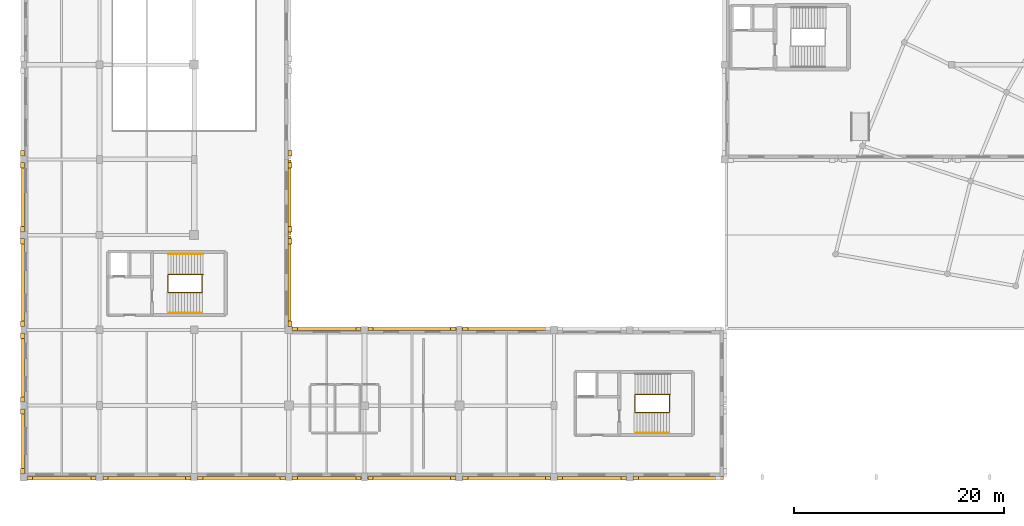
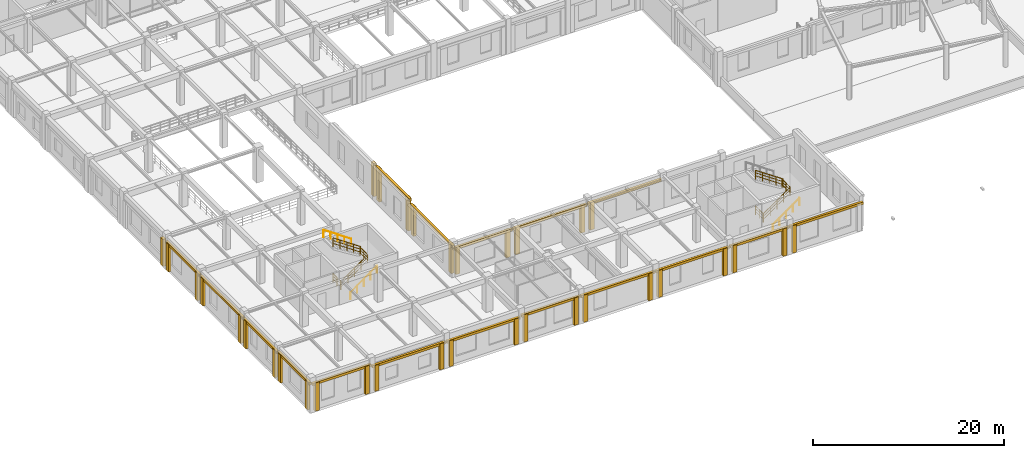
# One storey, part 52 of 62: 51 coverings, 11 railings.
"""IFC4 building model written with IfcOpenShell, lengths in metres."""

import ifcopenshell
import ifcopenshell.guid

model = None  # the IFC model being written
_history = None  # IfcOwnerHistory: only IFC2X3 demands one
_inside = {}  # id of a spatial element -> (the spatial element, [elements in it])
_under = {}  # id of a project, library or spatial element -> (it, [spatial elements below it])
_declared = {}  # id of a project -> (the project, [libraries it declares])
_typed = {}  # id of a type object -> (the type object, [elements of that type])
_made_of = {}  # id of a material, layer set ... -> (it, [elements and type objects made of it])


def new_model(schema):
    """Start an empty IFC model of exactly this schema.

    Asked for "IFC4X3", IfcOpenShell would pick the latest addendum, in which some entities
    have other attributes; the version numbers below select the first issue.
    IFC2X3 requires an IfcOwnerHistory on every rooted entity: one is made here for all.
    """
    global model, _history
    if schema == "IFC4X3":
        model = ifcopenshell.file(schema_version=(4, 3, 0, 0))
    else:
        model = ifcopenshell.file(schema=schema)
    _inside.clear()
    _under.clear()
    _declared.clear()
    _typed.clear()
    _made_of.clear()
    _history = None
    if model.schema == "IFC2X3":
        org = make("IfcOrganization", Name="unknown")
        user = make(
            "IfcPersonAndOrganization",
            ThePerson=make("IfcPerson", FamilyName="unknown"),
            TheOrganization=org,
        )
        app = make(
            "IfcApplication",
            ApplicationDeveloper=org,
            Version="unknown",
            ApplicationFullName="unknown",
            ApplicationIdentifier="unknown",
        )
        _history = make(
            "IfcOwnerHistory",
            OwningUser=user,
            OwningApplication=app,
            ChangeAction="ADDED",
            CreationDate=0,
        )
    return model


def make(cls, **values):
    """One entity of the class cls with the attributes given. An attribute that is None is left unset."""
    return model.create_entity(
        cls, **{name: value for name, value in values.items() if value is not None}
    )


def rooted(cls, **values):
    """An entity with a GlobalId (a new one), such as an element, a storey or a relation."""
    return make(cls, GlobalId=ifcopenshell.guid.new(), OwnerHistory=_history, **values)


def si_unit(unit_type, name, prefix=None):
    """IfcSIUnit, for example si_unit("LENGTHUNIT", "METRE", prefix="MILLI")."""
    return make("IfcSIUnit", UnitType=unit_type, Prefix=prefix, Name=name)


def assignment(units):
    """IfcUnitAssignment: the units of a project."""
    return None if units is None else make("IfcUnitAssignment", Units=units)


def point(xyz):
    """IfcCartesianPoint."""
    return None if xyz is None else make("IfcCartesianPoint", Coordinates=xyz)


def direction(xyz):
    """IfcDirection."""
    return None if xyz is None else make("IfcDirection", DirectionRatios=xyz)


def frame(location, z_axis=None, x_axis=None):
    """IfcAxis2Placement3D, a coordinate frame: its origin and axes. An axis left out is left unset."""
    return make(
        "IfcAxis2Placement3D",
        Location=point(location),
        Axis=direction(z_axis),
        RefDirection=direction(x_axis),
    )


def frame_2d(location, x_axis=None):
    """IfcAxis2Placement2D, a coordinate frame in the plane: its origin and x axis."""
    return make(
        "IfcAxis2Placement2D", Location=point(location), RefDirection=direction(x_axis)
    )


def origin():
    """The frame at (0, 0, 0) with its axes left unset."""
    return frame((0.0, 0.0, 0.0))


def origin_2d():
    """The frame at (0, 0) in the plane with its x axis left unset."""
    return frame_2d((0.0, 0.0))


def place(relative_to, where):
    """IfcLocalPlacement: puts the frame where relative to a parent placement (None: the world)."""
    return make(
        "IfcLocalPlacement", PlacementRelTo=relative_to, RelativePlacement=where
    )


def context(
    kind, dimensions, precision=None, world=None, true_north=None, identifier=None
):
    """IfcGeometricRepresentationContext, for example the 3D "Model" context."""
    return make(
        "IfcGeometricRepresentationContext",
        ContextIdentifier=identifier,
        ContextType=kind,
        CoordinateSpaceDimension=dimensions,
        Precision=precision,
        WorldCoordinateSystem=world,
        TrueNorth=true_north,
    )


def subcontext(parent, identifier, kind, view, scale=None):
    """IfcGeometricRepresentationSubContext, for example "Body" below "Model"."""
    return make(
        "IfcGeometricRepresentationSubContext",
        ContextIdentifier=identifier,
        ContextType=kind,
        ParentContext=parent,
        TargetScale=scale,
        TargetView=view,
    )


def project(units=None, contexts=None):
    """IfcProject with its units and contexts."""
    return rooted(
        "IfcProject",
        Name="project",
        RepresentationContexts=contexts,
        UnitsInContext=assignment(units),
    )


def spatial(cls, under=None, at=None, **own):
    """A site, building, storey or space (cls), placed at a placement, below another one or the project."""
    s = rooted(cls, ObjectPlacement=at, **own)
    if under is not None:
        _under.setdefault(under.id(), (under, []))[1].append(s)
    return s


def profile(cls, at=None, kind="AREA", **sizes):
    """A parametric profile (cls). Its sizes go by their IFC names, for example OverallWidth=200.0."""
    return make(cls, ProfileType=kind, Position=at, **sizes)


def rectangle(**sizes):
    """IfcRectangleProfileDef."""
    return profile("IfcRectangleProfileDef", **sizes)


def circle(**sizes):
    """IfcCircleProfileDef."""
    return profile("IfcCircleProfileDef", **sizes)


def extrude(swept, where, along, depth):
    """IfcExtrudedAreaSolid: the profile swept, set in the frame where, extruded along a direction by depth."""
    return make(
        "IfcExtrudedAreaSolid",
        SweptArea=swept,
        Position=where,
        ExtrudedDirection=direction(along),
        Depth=depth,
    )


def shape(context_of_items, identifier, shape_type, items):
    """IfcShapeRepresentation: the items that make up one representation, for example the "Body"."""
    return make(
        "IfcShapeRepresentation",
        ContextOfItems=context_of_items,
        RepresentationIdentifier=identifier,
        RepresentationType=shape_type,
        Items=items,
    )


def material(Name=None, Category=None):
    """IfcMaterial."""
    return make("IfcMaterial", Name=Name, Category=Category)


def layer(
    of_material, thickness, ventilated=None, Name=None, Category=None, Priority=None
):
    """IfcMaterialLayer: one layer of a wall or slab, of a material (None: an air gap)."""
    return make(
        "IfcMaterialLayer",
        Material=of_material,
        LayerThickness=thickness,
        IsVentilated=ventilated,
        Name=Name,
        Category=Category,
        Priority=Priority,
    )


def layer_set(layers, Name=None):
    """IfcMaterialLayerSet."""
    return make("IfcMaterialLayerSet", MaterialLayers=layers, LayerSetName=Name)


def made_of(thing, what):
    """Note that an element or type object is made of a material, layer set ...; save() writes the relation."""
    if what is not None:
        _made_of.setdefault(what.id(), (what, []))[1].append(thing)
    return thing


def type_object(cls, material=None, **own):
    """A type object (cls), such as IfcWallType, which elements share."""
    return made_of(rooted(cls, **own), material)


def element(
    cls,
    number,
    at=None,
    inside=None,
    cuts=None,
    type_object=None,
    material=None,
    context=None,
    identifier="Body",
    shape_type=None,
    held_by="IfcProductDefinitionShape",
    body=None,
    shapes=None,
    **own,
):
    """One element of the class cls, such as IfcWall. Its Tag is "e" and its number.

    at: its placement. inside: the storey or other place that contains it. cuts: it is an
    opening in that element (IfcRelVoidsElement). A single representation is given by context,
    identifier, shape_type and body (its items); several are given by shapes. held_by: the class
    of the entity that holds the representations. save() writes the other relations.
    """
    e = rooted(cls, Tag="e%d" % number, ObjectPlacement=at, **own)
    if body is not None:
        shapes = [shape(context, identifier, shape_type, body)]
    if shapes is not None:
        e.Representation = make(held_by, Representations=shapes)
    if inside is not None:
        _inside.setdefault(inside.id(), (inside, []))[1].append(e)
    if cuts is not None:
        rooted(
            "IfcRelVoidsElement", RelatingBuildingElement=cuts, RelatedOpeningElement=e
        )
    if type_object is not None:
        _typed.setdefault(type_object.id(), (type_object, []))[1].append(e)
    return made_of(e, material)


def aggregate(whole, parts):
    """IfcRelAggregates: a whole, such as a stair, and the parts it consists of."""
    return rooted("IfcRelAggregates", RelatingObject=whole, RelatedObjects=parts)


def save(model, path):
    """Write the relations noted so far, then the file.

    IfcRelAggregates (storeys below a building ...), IfcRelContainedInSpatialStructure (elements
    in a storey), IfcRelDefinesByType, IfcRelAssociatesMaterial and IfcRelDeclares: one each for
    every whole, place, type object, material and project.
    """
    for whole, parts in _under.values():
        aggregate(whole, parts)
    for where, things in _inside.values():
        rooted(
            "IfcRelContainedInSpatialStructure",
            RelatedElements=things,
            RelatingStructure=where,
        )
    for kind, things in _typed.values():
        rooted("IfcRelDefinesByType", RelatedObjects=things, RelatingType=kind)
    for what, things in _made_of.values():
        rooted("IfcRelAssociatesMaterial", RelatedObjects=things, RelatingMaterial=what)
    for by, libraries in _declared.values():
        rooted("IfcRelDeclares", RelatingContext=by, RelatedDefinitions=libraries)
    model.write(path)


model = new_model("IFC4")

# Units and contexts
model_context = context("Model", 3, precision=1e-05, world=origin(), true_north=direction((0.0, 1.0)))
body_context = subcontext(model_context, "Body", "Model", "MODEL_VIEW")
ifc_project = project(units=[si_unit("LENGTHUNIT", "METRE"), si_unit("AREAUNIT", "SQUARE_METRE"), si_unit("VOLUMEUNIT", "CUBIC_METRE"), si_unit("PLANEANGLEUNIT", "RADIAN"), si_unit("MASSUNIT", "GRAM", prefix="KILO")], contexts=[model_context])

# Site, building, storey
site_placement = place(None, origin())
site = spatial("IfcSite", under=ifc_project, at=site_placement, CompositionType="ELEMENT")
building_placement = place(site_placement, origin())
building = spatial("IfcBuilding", under=site, at=building_placement, Name="Clarverna Civic Hall", CompositionType="ELEMENT")
storey_placement = place(building_placement, frame((0.0, 0.0, 5.10009765625)))
storey = spatial("IfcBuildingStorey", under=building, at=storey_placement, Name="L01", CompositionType="ELEMENT", Elevation=5.10009765625)

# Coverings
ifc_material_1 = material(Name="Montjuic Buff Limestone Ashlar Cladding", Category="masonry")
ifc_layer = layer(ifc_material_1, 0.070068359375)
ifc_layer_set = layer_set([ifc_layer], Name="Montjuic Buff Limestone Ashlar Cladding")
covering_type = type_object("IfcCoveringType", Name="CV-CL2", PredefinedType="CLADDING", material=ifc_layer_set)
covering_1_placement = place(storey_placement, frame((-0.080078125, 0.06005859375, 3.31982421875), z_axis=(0.0, 0.0, 1.0), x_axis=(0.0, 1.0, 0.0)))
element("IfcCovering", 1, at=covering_1_placement, inside=storey, type_object=covering_type, Name="CV-CL2-156", PredefinedType="CLADDING", context=body_context, shape_type="SweptSolid", body=[
    extrude(rectangle(XDim=6.679931640625, YDim=0.280029296875, at=frame_2d((3.33984375, 0.0))), origin(), (0.0, 0.0, 1.0), 0.300048828125),
])
for number, where, z_axis, x_axis, name in (
    (2, (-0.110107421875, 0.320068359375, 0.0), (0.0, 0.0, 1.0), (0.0, 1.0, 0.0), "CV-CL2-157"),
    (3, (-0.110107421875, 5.97998046875, 0.0), (0.0, 0.0, 1.0), (0.0, 1.0, 0.0), "CV-CL2-158"),
):
    element("IfcCovering", number, at=place(storey_placement, frame(where, z_axis=z_axis, x_axis=x_axis)), inside=storey, type_object=covering_type, Name=name, PredefinedType="CLADDING", context=body_context, shape_type="SweptSolid", body=[
        extrude(rectangle(XDim=0.5, YDim=0.340087890625, at=frame_2d((0.25, 0.0))), origin(), (0.0, 0.0, 1.0), 3.599853515625),
    ])
covering_2_placement = place(storey_placement, frame((-0.080078125, 6.860107421875, 3.219970703125), z_axis=(0.0, 0.0, 1.0), x_axis=(0.0, 1.0, 0.0)))
element("IfcCovering", 4, at=covering_2_placement, inside=storey, type_object=covering_type, Name="CV-CL2-159", PredefinedType="CLADDING", context=body_context, shape_type="SweptSolid", body=[
    extrude(rectangle(XDim=7.079833984375, YDim=0.280029296875, at=frame_2d((3.5400390625, 0.0))), origin(), (0.0, 0.0, 1.0), 0.300048828125),
])
for number, where, z_axis, x_axis, name in (
    (5, (-0.110107421875, 7.1201171875, 0.0), (0.0, 0.0, 1.0), (0.0, 1.0, 0.0), "CV-CL2-160"),
    (6, (-0.110107421875, 13.179931640625, 0.0), (0.0, 0.0, 1.0), (0.0, 1.0, 0.0), "CV-CL2-161"),
):
    element("IfcCovering", number, at=place(storey_placement, frame(where, z_axis=z_axis, x_axis=x_axis)), inside=storey, type_object=covering_type, Name=name, PredefinedType="CLADDING", context=body_context, shape_type="SweptSolid", body=[
        extrude(rectangle(XDim=0.5, YDim=0.340087890625, at=frame_2d((0.25, 0.0))), origin(), (0.0, 0.0, 1.0), 3.5),
    ])
covering_3_placement = place(storey_placement, frame((-0.080078125, 14.06005859375, 3.219970703125), z_axis=(0.0, 0.0, 1.0), x_axis=(0.0, 1.0, 0.0)))
element("IfcCovering", 7, at=covering_3_placement, inside=storey, type_object=covering_type, Name="CV-CL2-162", PredefinedType="CLADDING", context=body_context, shape_type="SweptSolid", body=[
    extrude(rectangle(XDim=8.8798828125, YDim=0.280029296875, at=frame_2d((4.43994140625, 0.0))), origin(), (0.0, 0.0, 1.0), 0.300048828125),
])
for number, where, z_axis, x_axis, name in (
    (8, (-0.110107421875, 14.320068359375, 0.0), (0.0, 0.0, 1.0), (0.0, 1.0, 0.0), "CV-CL2-163"),
    (9, (-0.110107421875, 22.179931640625, 0.0), (0.0, 0.0, 1.0), (0.0, 1.0, 0.0), "CV-CL2-164"),
):
    element("IfcCovering", number, at=place(storey_placement, frame(where, z_axis=z_axis, x_axis=x_axis)), inside=storey, type_object=covering_type, Name=name, PredefinedType="CLADDING", context=body_context, shape_type="SweptSolid", body=[
        extrude(rectangle(XDim=0.5, YDim=0.340087890625, at=frame_2d((0.25, 0.0))), origin(), (0.0, 0.0, 1.0), 3.5),
    ])
covering_4_placement = place(storey_placement, frame((-0.080078125, 23.06005859375, 3.219970703125), z_axis=(0.0, 0.0, 1.0), x_axis=(0.0, 1.0, 0.0)))
element("IfcCovering", 10, at=covering_4_placement, inside=storey, type_object=covering_type, Name="CV-CL2-165", PredefinedType="CLADDING", context=body_context, shape_type="SweptSolid", body=[
    extrude(rectangle(XDim=7.079833984375, YDim=0.280029296875, at=frame_2d((3.5400390625, 0.0))), origin(), (0.0, 0.0, 1.0), 0.300048828125),
])
for number, where, z_axis, x_axis, name in (
    (11, (-0.110107421875, 23.320068359375, 0.0), (0.0, 0.0, 1.0), (0.0, 1.0, 0.0), "CV-CL2-166"),
    (12, (-0.110107421875, 29.3798828125, 0.0), (0.0, 0.0, 1.0), (0.0, 1.0, 0.0), "CV-CL2-167"),
):
    element("IfcCovering", number, at=place(storey_placement, frame(where, z_axis=z_axis, x_axis=x_axis)), inside=storey, type_object=covering_type, Name=name, PredefinedType="CLADDING", context=body_context, shape_type="SweptSolid", body=[
        extrude(rectangle(XDim=0.5, YDim=0.340087890625, at=frame_2d((0.25, 0.0))), origin(), (0.0, 0.0, 1.0), 3.5),
    ])
covering_5_placement = place(storey_placement, frame((-0.110107421875, 30.52001953125, 0.0), z_axis=(0.0, 0.0, 1.0), x_axis=(0.0, 1.0, 0.0)))
element("IfcCovering", 13, at=covering_5_placement, inside=storey, type_object=covering_type, Name="CV-CL2-169", PredefinedType="CLADDING", context=body_context, shape_type="SweptSolid", body=[
    extrude(rectangle(XDim=0.5, YDim=0.340087890625, at=frame_2d((0.25, 0.0))), origin(), (0.0, 0.0, 1.0), 3.469970703125),
])
covering_6_placement = place(storey_placement, frame((25.31005859375, 31.02001953125, 0.0), z_axis=(0.0, 0.0, 1.0), x_axis=(0.0, -1.0, 0.0)))
element("IfcCovering", 14, at=covering_6_placement, inside=storey, type_object=covering_type, Name="CV-CL2-349", PredefinedType="CLADDING", context=body_context, shape_type="SweptSolid", body=[
    extrude(rectangle(XDim=0.5, YDim=0.340087890625, at=frame_2d((0.25, 0.0))), origin(), (0.0, 0.0, 1.0), 4.219970703125),
])
covering_7_placement = place(storey_placement, frame((25.280029296875, 30.139892578125, 3.93994140625), z_axis=(0.0, 0.0, 1.0), x_axis=(0.0, -1.0, 0.0)))
element("IfcCovering", 15, at=covering_7_placement, inside=storey, type_object=covering_type, Name="CV-CL2-350", PredefinedType="CLADDING", context=body_context, shape_type="SweptSolid", body=[
    extrude(rectangle(XDim=7.079833984375, YDim=0.280029296875, at=frame_2d((3.5400390625, 0.0))), origin(), (0.0, 0.0, 1.0), 0.300048828125),
])
for number, where, z_axis, x_axis, name in (
    (16, (25.31005859375, 29.8798828125, 0.0), (0.0, 0.0, 1.0), (0.0, -1.0, 0.0), "CV-CL2-351"),
    (17, (25.31005859375, 23.820068359375, 0.0), (0.0, 0.0, 1.0), (0.0, -1.0, 0.0), "CV-CL2-352"),
):
    element("IfcCovering", number, at=place(storey_placement, frame(where, z_axis=z_axis, x_axis=x_axis)), inside=storey, type_object=covering_type, Name=name, PredefinedType="CLADDING", context=body_context, shape_type="SweptSolid", body=[
        extrude(rectangle(XDim=0.5, YDim=0.340087890625, at=frame_2d((0.25, 0.0))), origin(), (0.0, 0.0, 1.0), 4.219970703125),
    ])
covering_8_placement = place(storey_placement, frame((25.280029296875, 22.93994140625, 3.43994140625), z_axis=(0.0, 0.0, 1.0), x_axis=(0.0, -1.0, 0.0)))
element("IfcCovering", 18, at=covering_8_placement, inside=storey, type_object=covering_type, Name="CV-CL2-353", PredefinedType="CLADDING", context=body_context, shape_type="SweptSolid", body=[
    extrude(rectangle(XDim=8.8798828125, YDim=0.280029296875, at=frame_2d((4.43994140625, 0.0))), origin(), (0.0, 0.0, 1.0), 0.300048828125),
])
for number, where, z_axis, x_axis, name in (
    (19, (25.31005859375, 22.679931640625, 0.0), (0.0, 0.0, 1.0), (0.0, -1.0, 0.0), "CV-CL2-354"),
    (20, (25.31005859375, 14.820068359375, 0.0), (0.0, 0.0, 1.0), (0.0, -1.0, 0.0), "CV-CL2-355"),
):
    element("IfcCovering", number, at=place(storey_placement, frame(where, z_axis=z_axis, x_axis=x_axis)), inside=storey, type_object=covering_type, Name=name, PredefinedType="CLADDING", context=body_context, shape_type="SweptSolid", body=[
        extrude(rectangle(XDim=0.5, YDim=0.340087890625, at=frame_2d((0.25, 0.0))), origin(), (0.0, 0.0, 1.0), 3.719970703125),
    ])
covering_9_placement = place(storey_placement, frame((25.260009765625, 14.080078125, 3.18994140625), z_axis=(0.0, 0.0, 1.0), x_axis=(1.0, 0.0, 0.0)))
element("IfcCovering", 21, at=covering_9_placement, inside=storey, type_object=covering_type, Name="CV-CL2-356", PredefinedType="CLADDING", context=body_context, shape_type="SweptSolid", body=[
    extrude(rectangle(XDim=7.080078125, YDim=0.280029296875, at=frame_2d((3.5400390625, 0.0))), origin(), (0.0, 0.0, 1.0), 0.300048828125),
])
for number, where, z_axis, x_axis, name in (
    (22, (25.52001953125, 14.110107421875, 0.0), (0.0, 0.0, 1.0), (1.0, 0.0, 0.0), "CV-CL2-357"),
    (23, (31.580078125, 14.110107421875, 0.0), (0.0, 0.0, 1.0), (1.0, 0.0, 0.0), "CV-CL2-358"),
):
    element("IfcCovering", number, at=place(storey_placement, frame(where, z_axis=z_axis, x_axis=x_axis)), inside=storey, type_object=covering_type, Name=name, PredefinedType="CLADDING", context=body_context, shape_type="SweptSolid", body=[
        extrude(rectangle(XDim=0.5, YDim=0.340087890625, at=frame_2d((0.25, 0.0))), origin(), (0.0, 0.0, 1.0), 3.469970703125),
    ])
covering_10_placement = place(storey_placement, frame((32.4599609375, 14.080078125, 3.18994140625), z_axis=(0.0, 0.0, 1.0), x_axis=(1.0, 0.0, 0.0)))
element("IfcCovering", 24, at=covering_10_placement, inside=storey, type_object=covering_type, Name="CV-CL2-359", PredefinedType="CLADDING", context=body_context, shape_type="SweptSolid", body=[
    extrude(rectangle(XDim=8.880126953125, YDim=0.280029296875, at=frame_2d((4.43994140625, 0.0))), origin(), (0.0, 0.0, 1.0), 0.300048828125),
])
for number, where, z_axis, x_axis, name in (
    (25, (32.719970703125, 14.110107421875, 0.0), (0.0, 0.0, 1.0), (1.0, 0.0, 0.0), "CV-CL2-360"),
    (26, (40.580078125, 14.110107421875, 0.0), (0.0, 0.0, 1.0), (1.0, 0.0, 0.0), "CV-CL2-361"),
):
    element("IfcCovering", number, at=place(storey_placement, frame(where, z_axis=z_axis, x_axis=x_axis)), inside=storey, type_object=covering_type, Name=name, PredefinedType="CLADDING", context=body_context, shape_type="SweptSolid", body=[
        extrude(rectangle(XDim=0.5, YDim=0.340087890625, at=frame_2d((0.25, 0.0))), origin(), (0.0, 0.0, 1.0), 3.469970703125),
    ])
covering_11_placement = place(storey_placement, frame((41.4599609375, 14.080078125, 3.219970703125), z_axis=(0.0, 0.0, 1.0), x_axis=(1.0, 0.0, 0.0)))
element("IfcCovering", 27, at=covering_11_placement, inside=storey, type_object=covering_type, Name="CV-CL2-362", PredefinedType="CLADDING", context=body_context, shape_type="SweptSolid", body=[
    extrude(rectangle(XDim=8.880126953125, YDim=0.280029296875, at=frame_2d((4.43994140625, 0.0))), origin(), (0.0, 0.0, 1.0), 0.300048828125),
])
covering_12_placement = place(storey_placement, frame((41.719970703125, 14.110107421875, 0.0), z_axis=(0.0, 0.0, 1.0), x_axis=(1.0, 0.0, 0.0)))
element("IfcCovering", 28, at=covering_12_placement, inside=storey, type_object=covering_type, Name="CV-CL2-363", PredefinedType="CLADDING", context=body_context, shape_type="SweptSolid", body=[
    extrude(rectangle(XDim=0.5, YDim=0.340087890625, at=frame_2d((0.25, 0.0))), origin(), (0.0, 0.0, 1.0), 3.5),
])
covering_13_placement = place(storey_placement, frame((66.514892578125, -0.080078125, 3.219970703125), z_axis=(0.0, 0.0, 1.0), x_axis=(-1.0, 0.0, 0.0)))
element("IfcCovering", 29, at=covering_13_placement, inside=storey, type_object=covering_type, Name="CV-CL2-377", PredefinedType="CLADDING", context=body_context, shape_type="SweptSolid", body=[
    extrude(rectangle(XDim=8.85498046875, YDim=0.280029296875, at=frame_2d((4.427490234375, 0.0))), origin(), (0.0, 0.0, 1.0), 0.300048828125),
])
covering_14_placement = place(storey_placement, frame((58.419921875, -0.110107421875, 0.0), z_axis=(0.0, 0.0, 1.0), x_axis=(-1.0, 0.0, 0.0)))
element("IfcCovering", 30, at=covering_14_placement, inside=storey, type_object=covering_type, Name="CV-CL2-379", PredefinedType="CLADDING", context=body_context, shape_type="SweptSolid", body=[
    extrude(rectangle(XDim=0.5, YDim=0.340087890625, at=frame_2d((0.25, 0.0))), origin(), (0.0, 0.0, 1.0), 3.5),
])
covering_15_placement = place(storey_placement, frame((57.5400390625, -0.080078125, 3.219970703125), z_axis=(0.0, 0.0, 1.0), x_axis=(-1.0, 0.0, 0.0)))
element("IfcCovering", 31, at=covering_15_placement, inside=storey, type_object=covering_type, Name="CV-CL2-380", PredefinedType="CLADDING", context=body_context, shape_type="SweptSolid", body=[
    extrude(rectangle(XDim=7.080078125, YDim=0.280029296875, at=frame_2d((3.5400390625, 0.0))), origin(), (0.0, 0.0, 1.0), 0.300048828125),
])
for number, where, z_axis, x_axis, name in (
    (32, (57.280029296875, -0.110107421875, 0.0), (0.0, 0.0, 1.0), (-1.0, 0.0, 0.0), "CV-CL2-381"),
    (33, (51.219970703125, -0.110107421875, 0.0), (0.0, 0.0, 1.0), (-1.0, 0.0, 0.0), "CV-CL2-382"),
):
    element("IfcCovering", number, at=place(storey_placement, frame(where, z_axis=z_axis, x_axis=x_axis)), inside=storey, type_object=covering_type, Name=name, PredefinedType="CLADDING", context=body_context, shape_type="SweptSolid", body=[
        extrude(rectangle(XDim=0.5, YDim=0.340087890625, at=frame_2d((0.25, 0.0))), origin(), (0.0, 0.0, 1.0), 3.5),
    ])
covering_16_placement = place(storey_placement, frame((50.340087890625, -0.080078125, 3.18994140625), z_axis=(0.0, 0.0, 1.0), x_axis=(-1.0, 0.0, 0.0)))
element("IfcCovering", 34, at=covering_16_placement, inside=storey, type_object=covering_type, Name="CV-CL2-383", PredefinedType="CLADDING", context=body_context, shape_type="SweptSolid", body=[
    extrude(rectangle(XDim=8.880126953125, YDim=0.280029296875, at=frame_2d((4.43994140625, 0.0))), origin(), (0.0, 0.0, 1.0), 0.300048828125),
])
for number, where, z_axis, x_axis, name in (
    (35, (50.080078125, -0.110107421875, 0.0), (0.0, 0.0, 1.0), (-1.0, 0.0, 0.0), "CV-CL2-384"),
    (36, (42.219970703125, -0.110107421875, 0.0), (0.0, 0.0, 1.0), (-1.0, 0.0, 0.0), "CV-CL2-385"),
):
    element("IfcCovering", number, at=place(storey_placement, frame(where, z_axis=z_axis, x_axis=x_axis)), inside=storey, type_object=covering_type, Name=name, PredefinedType="CLADDING", context=body_context, shape_type="SweptSolid", body=[
        extrude(rectangle(XDim=0.5, YDim=0.340087890625, at=frame_2d((0.25, 0.0))), origin(), (0.0, 0.0, 1.0), 3.469970703125),
    ])
covering_17_placement = place(storey_placement, frame((41.340087890625, -0.080078125, 3.18994140625), z_axis=(0.0, 0.0, 1.0), x_axis=(-1.0, 0.0, 0.0)))
element("IfcCovering", 37, at=covering_17_placement, inside=storey, type_object=covering_type, Name="CV-CL2-386", PredefinedType="CLADDING", context=body_context, shape_type="SweptSolid", body=[
    extrude(rectangle(XDim=8.880126953125, YDim=0.280029296875, at=frame_2d((4.43994140625, 0.0))), origin(), (0.0, 0.0, 1.0), 0.300048828125),
])
for number, where, z_axis, x_axis, name in (
    (38, (41.080078125, -0.110107421875, 0.0), (0.0, 0.0, 1.0), (-1.0, 0.0, 0.0), "CV-CL2-387"),
    (39, (33.219970703125, -0.110107421875, 0.0), (0.0, 0.0, 1.0), (-1.0, 0.0, 0.0), "CV-CL2-388"),
):
    element("IfcCovering", number, at=place(storey_placement, frame(where, z_axis=z_axis, x_axis=x_axis)), inside=storey, type_object=covering_type, Name=name, PredefinedType="CLADDING", context=body_context, shape_type="SweptSolid", body=[
        extrude(rectangle(XDim=0.5, YDim=0.340087890625, at=frame_2d((0.25, 0.0))), origin(), (0.0, 0.0, 1.0), 3.469970703125),
    ])
covering_18_placement = place(storey_placement, frame((32.340087890625, -0.080078125, 3.219970703125), z_axis=(0.0, 0.0, 1.0), x_axis=(-1.0, 0.0, 0.0)))
element("IfcCovering", 40, at=covering_18_placement, inside=storey, type_object=covering_type, Name="CV-CL2-389", PredefinedType="CLADDING", context=body_context, shape_type="SweptSolid", body=[
    extrude(rectangle(XDim=7.080078125, YDim=0.280029296875, at=frame_2d((3.5400390625, 0.0))), origin(), (0.0, 0.0, 1.0), 0.300048828125),
])
for number, where, z_axis, x_axis, name in (
    (41, (32.080078125, -0.110107421875, 0.0), (0.0, 0.0, 1.0), (-1.0, 0.0, 0.0), "CV-CL2-390"),
    (42, (26.02001953125, -0.110107421875, 0.0), (0.0, 0.0, 1.0), (-1.0, 0.0, 0.0), "CV-CL2-391"),
):
    element("IfcCovering", number, at=place(storey_placement, frame(where, z_axis=z_axis, x_axis=x_axis)), inside=storey, type_object=covering_type, Name=name, PredefinedType="CLADDING", context=body_context, shape_type="SweptSolid", body=[
        extrude(rectangle(XDim=0.5, YDim=0.340087890625, at=frame_2d((0.25, 0.0))), origin(), (0.0, 0.0, 1.0), 3.5),
    ])
covering_19_placement = place(storey_placement, frame((25.139892578125, -0.080078125, 3.039794921875), z_axis=(0.0, 0.0, 1.0), x_axis=(-1.0, 0.0, 0.0)))
element("IfcCovering", 43, at=covering_19_placement, inside=storey, type_object=covering_type, Name="CV-CL2-392", PredefinedType="CLADDING", context=body_context, shape_type="SweptSolid", body=[
    extrude(rectangle(XDim=8.8798828125, YDim=0.280029296875, at=frame_2d((4.43994140625, 0.0))), origin(), (0.0, 0.0, 1.0), 0.300048828125),
])
for number, where, z_axis, x_axis, name in (
    (44, (24.8798828125, -0.110107421875, 0.0), (0.0, 0.0, 1.0), (-1.0, 0.0, 0.0), "CV-CL2-393"),
    (45, (17.02001953125, -0.110107421875, 0.0), (0.0, 0.0, 1.0), (-1.0, 0.0, 0.0), "CV-CL2-394"),
):
    element("IfcCovering", number, at=place(storey_placement, frame(where, z_axis=z_axis, x_axis=x_axis)), inside=storey, type_object=covering_type, Name=name, PredefinedType="CLADDING", context=body_context, shape_type="SweptSolid", body=[
        extrude(rectangle(XDim=0.5, YDim=0.340087890625, at=frame_2d((0.25, 0.0))), origin(), (0.0, 0.0, 1.0), 3.31982421875),
    ])
covering_20_placement = place(storey_placement, frame((16.139892578125, -0.080078125, 3.039794921875), z_axis=(0.0, 0.0, 1.0), x_axis=(-1.0, 0.0, 0.0)))
element("IfcCovering", 46, at=covering_20_placement, inside=storey, type_object=covering_type, Name="CV-CL2-395", PredefinedType="CLADDING", context=body_context, shape_type="SweptSolid", body=[
    extrude(rectangle(XDim=8.8798828125, YDim=0.280029296875, at=frame_2d((4.43994140625, 0.0))), origin(), (0.0, 0.0, 1.0), 0.300048828125),
])
for number, where, z_axis, x_axis, name in (
    (47, (15.8798828125, -0.110107421875, 0.0), (0.0, 0.0, 1.0), (-1.0, 0.0, 0.0), "CV-CL2-396"),
    (48, (8.02001953125, -0.110107421875, 0.0), (0.0, 0.0, 1.0), (-1.0, 0.0, 0.0), "CV-CL2-397"),
):
    element("IfcCovering", number, at=place(storey_placement, frame(where, z_axis=z_axis, x_axis=x_axis)), inside=storey, type_object=covering_type, Name=name, PredefinedType="CLADDING", context=body_context, shape_type="SweptSolid", body=[
        extrude(rectangle(XDim=0.5, YDim=0.340087890625, at=frame_2d((0.25, 0.0))), origin(), (0.0, 0.0, 1.0), 3.31982421875),
    ])
covering_21_placement = place(storey_placement, frame((7.139892578125, -0.080078125, 3.31982421875), z_axis=(0.0, 0.0, 1.0), x_axis=(-1.0, 0.0, 0.0)))
element("IfcCovering", 49, at=covering_21_placement, inside=storey, type_object=covering_type, Name="CV-CL2-398", PredefinedType="CLADDING", context=body_context, shape_type="SweptSolid", body=[
    extrude(rectangle(XDim=7.079833984375, YDim=0.280029296875, at=frame_2d((3.5400390625, 0.0))), origin(), (0.0, 0.0, 1.0), 0.300048828125),
])
for number, where, z_axis, x_axis, name in (
    (50, (6.8798828125, -0.110107421875, 0.0), (0.0, 0.0, 1.0), (-1.0, 0.0, 0.0), "CV-CL2-399"),
    (51, (0.820068359375, -0.110107421875, 0.0), (0.0, 0.0, 1.0), (-1.0, 0.0, 0.0), "CV-CL2-400"),
):
    element("IfcCovering", number, at=place(storey_placement, frame(where, z_axis=z_axis, x_axis=x_axis)), inside=storey, type_object=covering_type, Name=name, PredefinedType="CLADDING", context=body_context, shape_type="SweptSolid", body=[
        extrude(rectangle(XDim=0.5, YDim=0.340087890625, at=frame_2d((0.25, 0.0))), origin(), (0.0, 0.0, 1.0), 3.599853515625),
    ])

# Railings
ifc_material_2 = material(Name="Anodised Bronze Architectural Balustrade")
railing_type_1 = type_object("IfcRailingType", Name="GR-02", PredefinedType="BALUSTRADE", material=ifc_material_2)
railing_1_placement = place(storey_placement, frame((58.14990234375, 6.159912109375, 0.0)))
element("IfcRailing", 52, at=railing_1_placement, inside=storey, type_object=railing_type_1, Name="GR-02-127", PredefinedType="BALUSTRADE", context=body_context, shape_type="SweptSolid", body=[
    extrude(circle(Radius=0.02392578125, at=origin_2d()), frame((0.0, 0.0, 1.09619140625), z_axis=(0.818457937252, 0.0, 0.574566449551), x_axis=(0.0, 1.0, 0.0)), (0.0, 0.0, 1.0), 3.916015625),
    extrude(circle(Radius=0.011962890625, at=origin_2d()), frame((0.0, 0.0, 0.39208984375), z_axis=(0.818457937252, 0.0, 0.574566449551), x_axis=(0.0, 1.0, 0.0)), (0.0, 0.0, 1.0), 3.916015625),
    extrude(circle(Radius=0.011962890625, at=origin_2d()), frame((0.0, 0.0, 0.76171875), z_axis=(0.818457937252, 0.0, 0.574566449551), x_axis=(0.0, 1.0, 0.0)), (0.0, 0.0, 1.0), 3.916015625),
    extrude(circle(Radius=0.02099609375, at=origin_2d()), origin(), (0.0, 0.0, 1.0), 1.072021484375),
    extrude(circle(Radius=0.02099609375, at=origin_2d()), frame((0.80126953125, 0.0, 0.5625)), (0.0, 0.0, 1.0), 1.072021484375),
    extrude(circle(Radius=0.02099609375, at=origin_2d()), frame((1.6025390625, 0.0, 1.125)), (0.0, 0.0, 1.0), 1.072021484375),
    extrude(circle(Radius=0.02099609375, at=origin_2d()), frame((2.40380859375, 0.0, 1.6875)), (0.0, 0.0, 1.0), 1.072021484375),
    extrude(circle(Radius=0.02099609375, at=origin_2d()), frame((3.205078125, 0.0, 2.25)), (0.0, 0.0, 1.0), 1.072021484375),
])
railing_2_placement = place(storey_placement, frame((61.35498046875, 6.159912109375, 2.25)))
element("IfcRailing", 53, at=railing_2_placement, inside=storey, type_object=railing_type_1, Name="GR-02-128", PredefinedType="BALUSTRADE", context=body_context, shape_type="SweptSolid", body=[
    extrude(circle(Radius=0.02392578125, at=origin_2d()), frame((0.0, 0.0, 1.09619140625), z_axis=(0.0, 1.0, 0.0), x_axis=(-1.0, 0.0, 0.0)), (0.0, 0.0, 1.0), 1.68017578125),
    extrude(circle(Radius=0.011962890625, at=origin_2d()), frame((0.0, 0.0, 0.39208984375), z_axis=(0.0, 1.0, 0.0), x_axis=(-1.0, 0.0, 0.0)), (0.0, 0.0, 1.0), 1.68017578125),
    extrude(circle(Radius=0.011962890625, at=origin_2d()), frame((0.0, 0.0, 0.76171875), z_axis=(0.0, 1.0, 0.0), x_axis=(-1.0, 0.0, 0.0)), (0.0, 0.0, 1.0), 1.68017578125),
    extrude(circle(Radius=0.02099609375, at=origin_2d()), origin(), (0.0, 0.0, 1.0), 1.072021484375),
    extrude(circle(Radius=0.02099609375, at=origin_2d()), frame((0.0, 0.840087890625, 0.0)), (0.0, 0.0, 1.0), 1.072021484375),
    extrude(circle(Radius=0.02099609375, at=origin_2d()), frame((0.0, 1.68017578125, 0.0)), (0.0, 0.0, 1.0), 1.072021484375),
])
railing_3_placement = place(storey_placement, frame((61.445068359375, 7.840087890625, 2.25)))
element("IfcRailing", 54, at=railing_3_placement, inside=storey, type_object=railing_type_1, Name="GR-02-129", PredefinedType="BALUSTRADE", context=body_context, shape_type="SweptSolid", body=[
    extrude(circle(Radius=0.02392578125, at=origin_2d()), frame((0.0, 0.0, 1.09619140625), z_axis=(-0.825842681189, 0.0, 0.563900581598), x_axis=(0.0, -1.0, 0.0)), (0.0, 0.0, 1.0), 3.989990234375),
    extrude(circle(Radius=0.011962890625, at=origin_2d()), frame((0.0, 0.0, 0.39208984375), z_axis=(-0.825842681189, 0.0, 0.563900581598), x_axis=(0.0, -1.0, 0.0)), (0.0, 0.0, 1.0), 3.989990234375),
    extrude(circle(Radius=0.011962890625, at=origin_2d()), frame((0.0, 0.0, 0.76171875), z_axis=(-0.825842681189, 0.0, 0.563900581598), x_axis=(0.0, -1.0, 0.0)), (0.0, 0.0, 1.0), 3.989990234375),
    extrude(circle(Radius=0.02099609375, at=origin_2d()), origin(), (0.0, 0.0, 1.0), 1.072021484375),
    extrude(circle(Radius=0.02099609375, at=origin_2d()), frame((-0.82373046875, 0.0, 0.5625)), (0.0, 0.0, 1.0), 1.072021484375),
    extrude(circle(Radius=0.02099609375, at=origin_2d()), frame((-1.6474609375, 0.0, 1.125)), (0.0, 0.0, 1.0), 1.072021484375),
    extrude(circle(Radius=0.02099609375, at=origin_2d()), frame((-2.471435546875, 0.0, 1.6875)), (0.0, 0.0, 1.0), 1.072021484375),
    extrude(circle(Radius=0.02099609375, at=origin_2d()), frame((-3.295166015625, 0.0, 2.25)), (0.0, 0.0, 1.0), 1.072021484375),
])
railing_4_placement = place(storey_placement, frame((58.110107421875, 6.199951171875, 0.0)))
element("IfcRailing", 55, at=railing_4_placement, inside=storey, type_object=railing_type_1, Name="GR-02-130", PredefinedType="BALUSTRADE", context=body_context, shape_type="SweptSolid", body=[
    extrude(circle(Radius=0.02392578125, at=origin_2d()), frame((0.0, 0.0, 1.09619140625), z_axis=(0.0, 1.0, 0.0), x_axis=(-1.0, 0.0, 0.0)), (0.0, 0.0, 1.0), 1.60009765625),
    extrude(circle(Radius=0.011962890625, at=origin_2d()), frame((0.0, 0.0, 0.39208984375), z_axis=(0.0, 1.0, 0.0), x_axis=(-1.0, 0.0, 0.0)), (0.0, 0.0, 1.0), 1.60009765625),
    extrude(circle(Radius=0.011962890625, at=origin_2d()), frame((0.0, 0.0, 0.76171875), z_axis=(0.0, 1.0, 0.0), x_axis=(-1.0, 0.0, 0.0)), (0.0, 0.0, 1.0), 1.60009765625),
    extrude(circle(Radius=0.02099609375, at=origin_2d()), origin(), (0.0, 0.0, 1.0), 1.072021484375),
    extrude(circle(Radius=0.02099609375, at=origin_2d()), frame((0.0, 0.800048828125, 0.0)), (0.0, 0.0, 1.0), 1.072021484375),
    extrude(circle(Radius=0.02099609375, at=origin_2d()), frame((0.0, 1.60009765625, 0.0)), (0.0, 0.0, 1.0), 1.072021484375),
])
railing_5_placement = place(storey_placement, frame((13.75, 17.56005859375, 0.0)))
element("IfcRailing", 56, at=railing_5_placement, inside=storey, type_object=railing_type_1, Name="GR-02-143", PredefinedType="BALUSTRADE", context=body_context, shape_type="SweptSolid", body=[
    extrude(circle(Radius=0.02392578125, at=origin_2d()), frame((0.0, 0.0, 1.09619140625), z_axis=(0.818457937252, 0.0, 0.574566449551), x_axis=(0.0, 1.0, 0.0)), (0.0, 0.0, 1.0), 3.916015625),
    extrude(circle(Radius=0.011962890625, at=origin_2d()), frame((0.0, 0.0, 0.39208984375), z_axis=(0.818457937252, 0.0, 0.574566449551), x_axis=(0.0, 1.0, 0.0)), (0.0, 0.0, 1.0), 3.916015625),
    extrude(circle(Radius=0.011962890625, at=origin_2d()), frame((0.0, 0.0, 0.76171875), z_axis=(0.818457937252, 0.0, 0.574566449551), x_axis=(0.0, 1.0, 0.0)), (0.0, 0.0, 1.0), 3.916015625),
    extrude(circle(Radius=0.02099609375, at=origin_2d()), origin(), (0.0, 0.0, 1.0), 1.072021484375),
    extrude(circle(Radius=0.02099609375, at=origin_2d()), frame((0.80126953125, 0.0, 0.5625)), (0.0, 0.0, 1.0), 1.072021484375),
    extrude(circle(Radius=0.02099609375, at=origin_2d()), frame((1.6025390625, 0.0, 1.125)), (0.0, 0.0, 1.0), 1.072021484375),
    extrude(circle(Radius=0.02099609375, at=origin_2d()), frame((2.40380859375, 0.0, 1.6875)), (0.0, 0.0, 1.0), 1.072021484375),
    extrude(circle(Radius=0.02099609375, at=origin_2d()), frame((3.205078125, 0.0, 2.25)), (0.0, 0.0, 1.0), 1.072021484375),
])
railing_6_placement = place(storey_placement, frame((16.955078125, 17.56005859375, 2.25)))
element("IfcRailing", 57, at=railing_6_placement, inside=storey, type_object=railing_type_1, Name="GR-02-144", PredefinedType="BALUSTRADE", context=body_context, shape_type="SweptSolid", body=[
    extrude(circle(Radius=0.02392578125, at=origin_2d()), frame((0.0, 0.0, 1.09619140625), z_axis=(0.0, 1.0, 0.0), x_axis=(-1.0, 0.0, 0.0)), (0.0, 0.0, 1.0), 1.679931640625),
    extrude(circle(Radius=0.011962890625, at=origin_2d()), frame((0.0, 0.0, 0.39208984375), z_axis=(0.0, 1.0, 0.0), x_axis=(-1.0, 0.0, 0.0)), (0.0, 0.0, 1.0), 1.679931640625),
    extrude(circle(Radius=0.011962890625, at=origin_2d()), frame((0.0, 0.0, 0.76171875), z_axis=(0.0, 1.0, 0.0), x_axis=(-1.0, 0.0, 0.0)), (0.0, 0.0, 1.0), 1.679931640625),
    extrude(circle(Radius=0.02099609375, at=origin_2d()), origin(), (0.0, 0.0, 1.0), 1.072021484375),
    extrude(circle(Radius=0.02099609375, at=origin_2d()), frame((0.0, 0.83984375, 0.0)), (0.0, 0.0, 1.0), 1.072021484375),
    extrude(circle(Radius=0.02099609375, at=origin_2d()), frame((0.0, 1.679931640625, 0.0)), (0.0, 0.0, 1.0), 1.072021484375),
])
railing_7_placement = place(storey_placement, frame((17.044921875, 19.239990234375, 2.25)))
element("IfcRailing", 58, at=railing_7_placement, inside=storey, type_object=railing_type_1, Name="GR-02-145", PredefinedType="BALUSTRADE", context=body_context, shape_type="SweptSolid", body=[
    extrude(circle(Radius=0.02392578125, at=origin_2d()), frame((0.0, 0.0, 1.09619140625), z_axis=(-0.825823223194, 0.0, 0.563929077131), x_axis=(0.0, -1.0, 0.0)), (0.0, 0.0, 1.0), 3.98974609375),
    extrude(circle(Radius=0.011962890625, at=origin_2d()), frame((0.0, 0.0, 0.39208984375), z_axis=(-0.825823223194, 0.0, 0.563929077131), x_axis=(0.0, -1.0, 0.0)), (0.0, 0.0, 1.0), 3.98974609375),
    extrude(circle(Radius=0.011962890625, at=origin_2d()), frame((0.0, 0.0, 0.76171875), z_axis=(-0.825823223194, 0.0, 0.563929077131), x_axis=(0.0, -1.0, 0.0)), (0.0, 0.0, 1.0), 3.98974609375),
    extrude(circle(Radius=0.02099609375, at=origin_2d()), origin(), (0.0, 0.0, 1.0), 1.072021484375),
    extrude(circle(Radius=0.02099609375, at=origin_2d()), frame((-0.82373046875, 0.0, 0.5625)), (0.0, 0.0, 1.0), 1.072021484375),
    extrude(circle(Radius=0.02099609375, at=origin_2d()), frame((-1.6474609375, 0.0, 1.125)), (0.0, 0.0, 1.0), 1.072021484375),
    extrude(circle(Radius=0.02099609375, at=origin_2d()), frame((-2.47119140625, 0.0, 1.6875)), (0.0, 0.0, 1.0), 1.072021484375),
    extrude(circle(Radius=0.02099609375, at=origin_2d()), frame((-3.294921875, 0.0, 2.25)), (0.0, 0.0, 1.0), 1.072021484375),
])
railing_8_placement = place(storey_placement, frame((13.7099609375, 17.60009765625, 0.0)))
element("IfcRailing", 59, at=railing_8_placement, inside=storey, type_object=railing_type_1, Name="GR-02-146", PredefinedType="BALUSTRADE", context=body_context, shape_type="SweptSolid", body=[
    extrude(circle(Radius=0.02392578125, at=origin_2d()), frame((0.0, 0.0, 1.09619140625), z_axis=(0.0, 1.0, 0.0), x_axis=(-1.0, 0.0, 0.0)), (0.0, 0.0, 1.0), 1.599853515625),
    extrude(circle(Radius=0.011962890625, at=origin_2d()), frame((0.0, 0.0, 0.39208984375), z_axis=(0.0, 1.0, 0.0), x_axis=(-1.0, 0.0, 0.0)), (0.0, 0.0, 1.0), 1.599853515625),
    extrude(circle(Radius=0.011962890625, at=origin_2d()), frame((0.0, 0.0, 0.76171875), z_axis=(0.0, 1.0, 0.0), x_axis=(-1.0, 0.0, 0.0)), (0.0, 0.0, 1.0), 1.599853515625),
    extrude(circle(Radius=0.02099609375, at=origin_2d()), origin(), (0.0, 0.0, 1.0), 1.072021484375),
    extrude(circle(Radius=0.02099609375, at=origin_2d()), frame((0.0, 0.7998046875, 0.0)), (0.0, 0.0, 1.0), 1.072021484375),
    extrude(circle(Radius=0.02099609375, at=origin_2d()), frame((0.0, 1.599853515625, 0.0)), (0.0, 0.0, 1.0), 1.072021484375),
])
ifc_material_3 = material(Name="Anodised Bronze Continuous Handrail")
railing_type_2 = type_object("IfcRailingType", Name="HR-01", PredefinedType="HANDRAIL", material=ifc_material_3)
railing_9_placement = place(storey_placement, frame((58.14990234375, 4.179931640625, 0.0)))
element("IfcRailing", 60, at=railing_9_placement, inside=storey, type_object=railing_type_2, Name="HR-01-063", PredefinedType="HANDRAIL", context=body_context, shape_type="SweptSolid", body=[
    extrude(circle(Radius=0.02392578125, at=origin_2d()), frame((0.0, 0.0, 0.89599609375), z_axis=(0.817196578909, 0.0, 0.576359047312), x_axis=(0.0, 1.0, 0.0)), (0.0, 0.0, 1.0), 3.90380859375),
    extrude(circle(Radius=0.02099609375, at=origin_2d()), origin(), (0.0, 0.0, 1.0), 0.871826171875),
    extrude(circle(Radius=0.02099609375, at=origin_2d()), frame((0.797607421875, 0.0, 0.5625)), (0.0, 0.0, 1.0), 0.871826171875),
    extrude(circle(Radius=0.02099609375, at=origin_2d()), frame((1.59521484375, 0.0, 1.125)), (0.0, 0.0, 1.0), 0.871826171875),
    extrude(circle(Radius=0.02099609375, at=origin_2d()), frame((2.392578125, 0.0, 1.6875)), (0.0, 0.0, 1.0), 0.871826171875),
    extrude(circle(Radius=0.02099609375, at=origin_2d()), frame((3.190185546875, 0.0, 2.25)), (0.0, 0.0, 1.0), 0.871826171875),
])
railing_10_placement = place(storey_placement, frame((13.75, 15.580078125, 0.0)))
element("IfcRailing", 61, at=railing_10_placement, inside=storey, type_object=railing_type_2, Name="HR-01-071", PredefinedType="HANDRAIL", context=body_context, shape_type="SweptSolid", body=[
    extrude(circle(Radius=0.02392578125, at=origin_2d()), frame((0.0, 0.0, 0.89599609375), z_axis=(0.817175802515, 0.0, 0.576388504208), x_axis=(0.0, 1.0, 0.0)), (0.0, 0.0, 1.0), 3.903564453125),
    extrude(circle(Radius=0.02099609375, at=origin_2d()), origin(), (0.0, 0.0, 1.0), 0.871826171875),
    extrude(circle(Radius=0.02099609375, at=origin_2d()), frame((0.79736328125, 0.0, 0.5625)), (0.0, 0.0, 1.0), 0.871826171875),
    extrude(circle(Radius=0.02099609375, at=origin_2d()), frame((1.594970703125, 0.0, 1.125)), (0.0, 0.0, 1.0), 0.871826171875),
    extrude(circle(Radius=0.02099609375, at=origin_2d()), frame((2.392578125, 0.0, 1.6875)), (0.0, 0.0, 1.0), 0.871826171875),
    extrude(circle(Radius=0.02099609375, at=origin_2d()), frame((3.18994140625, 0.0, 2.25)), (0.0, 0.0, 1.0), 0.871826171875),
])
railing_11_placement = place(storey_placement, frame((17.06005859375, 21.219970703125, 2.25)))
element("IfcRailing", 62, at=railing_11_placement, inside=storey, type_object=railing_type_2, Name="HR-01-072", PredefinedType="HANDRAIL", context=body_context, shape_type="SweptSolid", body=[
    extrude(circle(Radius=0.02392578125, at=origin_2d()), frame((0.0, 0.0, 0.89599609375), z_axis=(-0.82702406128, 0.0, 0.562166525207), x_axis=(0.0, -1.0, 0.0)), (0.0, 0.0, 1.0), 4.00244140625),
    extrude(circle(Radius=0.02099609375, at=origin_2d()), origin(), (0.0, 0.0, 1.0), 0.871826171875),
    extrude(circle(Radius=0.02099609375, at=origin_2d()), frame((-0.82763671875, 0.0, 0.5625)), (0.0, 0.0, 1.0), 0.871826171875),
    extrude(circle(Radius=0.02099609375, at=origin_2d()), frame((-1.655029296875, 0.0, 1.125)), (0.0, 0.0, 1.0), 0.871826171875),
    extrude(circle(Radius=0.02099609375, at=origin_2d()), frame((-2.482421875, 0.0, 1.6875)), (0.0, 0.0, 1.0), 0.871826171875),
    extrude(circle(Radius=0.02099609375, at=origin_2d()), frame((-3.31005859375, 0.0, 2.25)), (0.0, 0.0, 1.0), 0.871826171875),
])

save(model, "model.ifc")
